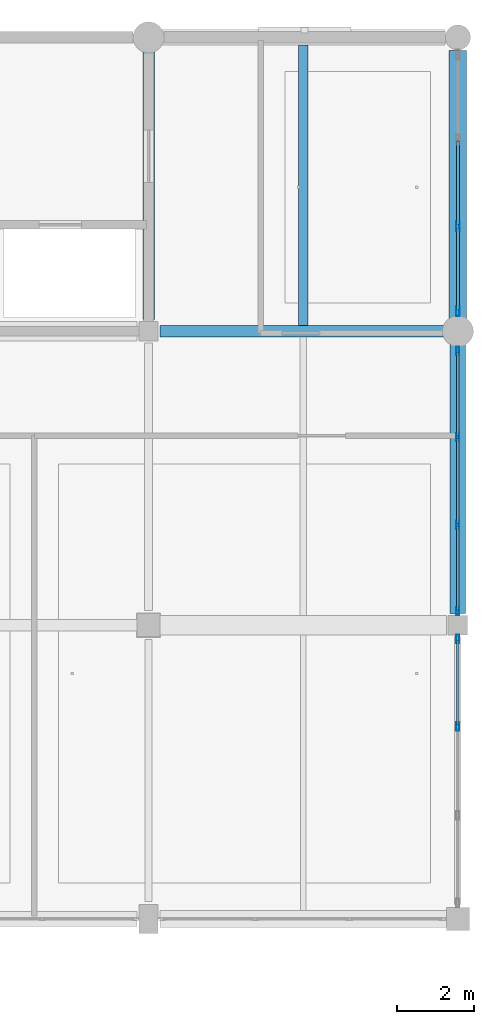
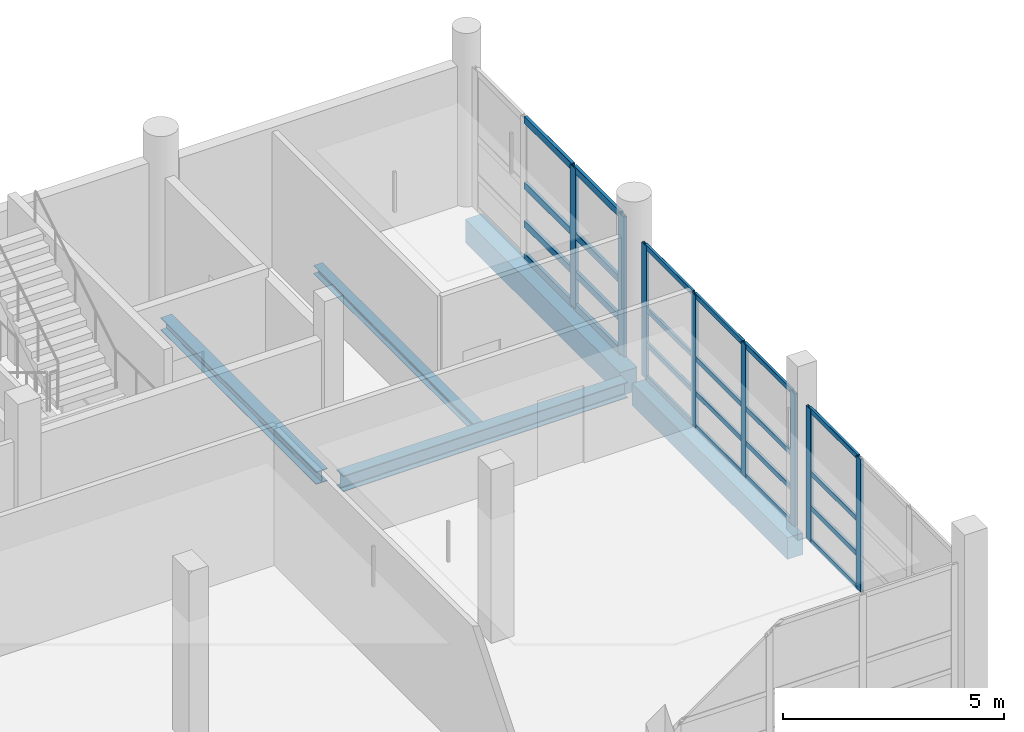
# One storey, part 55 of 107: 32 members, 5 beams, 3 elements without a shape of their own.
"""IFC4 building model written with IfcOpenShell, lengths in metres."""

import ifcopenshell
import ifcopenshell.guid

model = None  # the IFC model being written
_history = None  # IfcOwnerHistory: only IFC2X3 demands one
_inside = {}  # id of a spatial element -> (the spatial element, [elements in it])
_under = {}  # id of a project, library or spatial element -> (it, [spatial elements below it])
_declared = {}  # id of a project -> (the project, [libraries it declares])
_typed = {}  # id of a type object -> (the type object, [elements of that type])
_made_of = {}  # id of a material, layer set ... -> (it, [elements and type objects made of it])


def new_model(schema):
    """Start an empty IFC model of exactly this schema.

    Asked for "IFC4X3", IfcOpenShell would pick the latest addendum, in which some entities
    have other attributes; the version numbers below select the first issue.
    IFC2X3 requires an IfcOwnerHistory on every rooted entity: one is made here for all.
    """
    global model, _history
    if schema == "IFC4X3":
        model = ifcopenshell.file(schema_version=(4, 3, 0, 0))
    else:
        model = ifcopenshell.file(schema=schema)
    _inside.clear()
    _under.clear()
    _declared.clear()
    _typed.clear()
    _made_of.clear()
    _history = None
    if model.schema == "IFC2X3":
        org = make("IfcOrganization", Name="unknown")
        user = make(
            "IfcPersonAndOrganization",
            ThePerson=make("IfcPerson", FamilyName="unknown"),
            TheOrganization=org,
        )
        app = make(
            "IfcApplication",
            ApplicationDeveloper=org,
            Version="unknown",
            ApplicationFullName="unknown",
            ApplicationIdentifier="unknown",
        )
        _history = make(
            "IfcOwnerHistory",
            OwningUser=user,
            OwningApplication=app,
            ChangeAction="ADDED",
            CreationDate=0,
        )
    return model


def make(cls, **values):
    """One entity of the class cls with the attributes given. An attribute that is None is left unset."""
    return model.create_entity(
        cls, **{name: value for name, value in values.items() if value is not None}
    )


def rooted(cls, **values):
    """An entity with a GlobalId (a new one), such as an element, a storey or a relation."""
    return make(cls, GlobalId=ifcopenshell.guid.new(), OwnerHistory=_history, **values)


def si_unit(unit_type, name, prefix=None):
    """IfcSIUnit, for example si_unit("LENGTHUNIT", "METRE", prefix="MILLI")."""
    return make("IfcSIUnit", UnitType=unit_type, Prefix=prefix, Name=name)


def assignment(units):
    """IfcUnitAssignment: the units of a project."""
    return None if units is None else make("IfcUnitAssignment", Units=units)


def point(xyz):
    """IfcCartesianPoint."""
    return None if xyz is None else make("IfcCartesianPoint", Coordinates=xyz)


def direction(xyz):
    """IfcDirection."""
    return None if xyz is None else make("IfcDirection", DirectionRatios=xyz)


def frame(location, z_axis=None, x_axis=None):
    """IfcAxis2Placement3D, a coordinate frame: its origin and axes. An axis left out is left unset."""
    return make(
        "IfcAxis2Placement3D",
        Location=point(location),
        Axis=direction(z_axis),
        RefDirection=direction(x_axis),
    )


def frame_2d(location, x_axis=None):
    """IfcAxis2Placement2D, a coordinate frame in the plane: its origin and x axis."""
    return make(
        "IfcAxis2Placement2D", Location=point(location), RefDirection=direction(x_axis)
    )


def origin():
    """The frame at (0, 0, 0) with its axes left unset."""
    return frame((0.0, 0.0, 0.0))


def origin_2d():
    """The frame at (0, 0) in the plane with its x axis left unset."""
    return frame_2d((0.0, 0.0))


def place(relative_to, where):
    """IfcLocalPlacement: puts the frame where relative to a parent placement (None: the world)."""
    return make(
        "IfcLocalPlacement", PlacementRelTo=relative_to, RelativePlacement=where
    )


def context(
    kind, dimensions, precision=None, world=None, true_north=None, identifier=None
):
    """IfcGeometricRepresentationContext, for example the 3D "Model" context."""
    return make(
        "IfcGeometricRepresentationContext",
        ContextIdentifier=identifier,
        ContextType=kind,
        CoordinateSpaceDimension=dimensions,
        Precision=precision,
        WorldCoordinateSystem=world,
        TrueNorth=true_north,
    )


def subcontext(parent, identifier, kind, view, scale=None):
    """IfcGeometricRepresentationSubContext, for example "Body" below "Model"."""
    return make(
        "IfcGeometricRepresentationSubContext",
        ContextIdentifier=identifier,
        ContextType=kind,
        ParentContext=parent,
        TargetScale=scale,
        TargetView=view,
    )


def project(units=None, contexts=None):
    """IfcProject with its units and contexts."""
    return rooted(
        "IfcProject",
        Name="project",
        RepresentationContexts=contexts,
        UnitsInContext=assignment(units),
    )


def spatial(cls, under=None, at=None, **own):
    """A site, building, storey or space (cls), placed at a placement, below another one or the project."""
    s = rooted(cls, ObjectPlacement=at, **own)
    if under is not None:
        _under.setdefault(under.id(), (under, []))[1].append(s)
    return s


def profile(cls, at=None, kind="AREA", **sizes):
    """A parametric profile (cls). Its sizes go by their IFC names, for example OverallWidth=200.0."""
    return make(cls, ProfileType=kind, Position=at, **sizes)


def rectangle(**sizes):
    """IfcRectangleProfileDef."""
    return profile("IfcRectangleProfileDef", **sizes)


def hollow_rectangle(**sizes):
    """IfcRectangleHollowProfileDef."""
    return profile("IfcRectangleHollowProfileDef", **sizes)


def i_section(**sizes):
    """IfcIShapeProfileDef."""
    return profile("IfcIShapeProfileDef", **sizes)


def extrude(swept, where, along, depth):
    """IfcExtrudedAreaSolid: the profile swept, set in the frame where, extruded along a direction by depth."""
    return make(
        "IfcExtrudedAreaSolid",
        SweptArea=swept,
        Position=where,
        ExtrudedDirection=direction(along),
        Depth=depth,
    )


def shape(context_of_items, identifier, shape_type, items):
    """IfcShapeRepresentation: the items that make up one representation, for example the "Body"."""
    return make(
        "IfcShapeRepresentation",
        ContextOfItems=context_of_items,
        RepresentationIdentifier=identifier,
        RepresentationType=shape_type,
        Items=items,
    )


def material(Name=None, Category=None):
    """IfcMaterial."""
    return make("IfcMaterial", Name=Name, Category=Category)


def material_profile(
    of_material, cross_section, Name=None, Category=None, Priority=None
):
    """IfcMaterialProfile: a cross section and its material."""
    return make(
        "IfcMaterialProfile",
        Name=Name,
        Material=of_material,
        Profile=cross_section,
        Priority=Priority,
        Category=Category,
    )


def profile_set(profiles, Name=None, composite=None):
    """IfcMaterialProfileSet."""
    return make(
        "IfcMaterialProfileSet",
        Name=Name,
        MaterialProfiles=profiles,
        CompositeProfile=composite,
    )


def made_of(thing, what):
    """Note that an element or type object is made of a material, layer set ...; save() writes the relation."""
    if what is not None:
        _made_of.setdefault(what.id(), (what, []))[1].append(thing)
    return thing


def type_object(cls, material=None, **own):
    """A type object (cls), such as IfcWallType, which elements share."""
    return made_of(rooted(cls, **own), material)


def element(
    cls,
    number,
    at=None,
    inside=None,
    cuts=None,
    type_object=None,
    material=None,
    context=None,
    identifier="Body",
    shape_type=None,
    held_by="IfcProductDefinitionShape",
    body=None,
    shapes=None,
    **own,
):
    """One element of the class cls, such as IfcWall. Its Tag is "e" and its number.

    at: its placement. inside: the storey or other place that contains it. cuts: it is an
    opening in that element (IfcRelVoidsElement). A single representation is given by context,
    identifier, shape_type and body (its items); several are given by shapes. held_by: the class
    of the entity that holds the representations. save() writes the other relations.
    """
    e = rooted(cls, Tag="e%d" % number, ObjectPlacement=at, **own)
    if body is not None:
        shapes = [shape(context, identifier, shape_type, body)]
    if shapes is not None:
        e.Representation = make(held_by, Representations=shapes)
    if inside is not None:
        _inside.setdefault(inside.id(), (inside, []))[1].append(e)
    if cuts is not None:
        rooted(
            "IfcRelVoidsElement", RelatingBuildingElement=cuts, RelatedOpeningElement=e
        )
    if type_object is not None:
        _typed.setdefault(type_object.id(), (type_object, []))[1].append(e)
    return made_of(e, material)


def aggregate(whole, parts):
    """IfcRelAggregates: a whole, such as a stair, and the parts it consists of."""
    return rooted("IfcRelAggregates", RelatingObject=whole, RelatedObjects=parts)


def save(model, path):
    """Write the relations noted so far, then the file.

    IfcRelAggregates (storeys below a building ...), IfcRelContainedInSpatialStructure (elements
    in a storey), IfcRelDefinesByType, IfcRelAssociatesMaterial and IfcRelDeclares: one each for
    every whole, place, type object, material and project.
    """
    for whole, parts in _under.values():
        aggregate(whole, parts)
    for where, things in _inside.values():
        rooted(
            "IfcRelContainedInSpatialStructure",
            RelatedElements=things,
            RelatingStructure=where,
        )
    for kind, things in _typed.values():
        rooted("IfcRelDefinesByType", RelatedObjects=things, RelatingType=kind)
    for what, things in _made_of.values():
        rooted("IfcRelAssociatesMaterial", RelatedObjects=things, RelatingMaterial=what)
    for by, libraries in _declared.values():
        rooted("IfcRelDeclares", RelatingContext=by, RelatedDefinitions=libraries)
    model.write(path)


model = new_model("IFC4")

# Units and contexts
model_context = context("Model", 3, precision=1e-05, world=origin(), true_north=direction((0.0, 1.0)))
body_context = subcontext(model_context, "Body", "Model", "MODEL_VIEW")
ifc_project = project(units=[si_unit("LENGTHUNIT", "METRE"), si_unit("AREAUNIT", "SQUARE_METRE"), si_unit("VOLUMEUNIT", "CUBIC_METRE"), si_unit("PLANEANGLEUNIT", "RADIAN"), si_unit("MASSUNIT", "GRAM", prefix="KILO")], contexts=[model_context])

# Site, building, storey
site_placement = place(None, origin())
site = spatial("IfcSite", under=ifc_project, at=site_placement, CompositionType="ELEMENT")
building_placement = place(site_placement, origin())
building = spatial("IfcBuilding", under=site, at=building_placement, Name="Khelvaren Railside Concert Hall", CompositionType="ELEMENT")
storey_placement = place(building_placement, frame((0.0, 0.0, 15.0)))
storey = spatial("IfcBuildingStorey", under=building, at=storey_placement, Name="L03", CompositionType="ELEMENT", Elevation=15.0)

# Beams
ifc_material_1 = material(Name="Steel S355", Category="steel")
ifc_material_profile_1 = material_profile(ifc_material_1, i_section(OverallWidth=0.300048828125, OverallDepth=0.35009765625, WebThickness=0.010009765625, FlangeThickness=0.017578125, FilletRadius=0.027099609375, at=origin_2d()), Name="HEA 360")
ifc_profile_set_1 = profile_set([ifc_material_profile_1], Name="Steel S355")
beam_type_1 = type_object("IfcBeamType", Name="BM73", PredefinedType="BEAM", material=ifc_profile_set_1)
beam_1_placement = place(storey_placement, frame((176.0, 106.699951171875, -0.455078125), z_axis=(0.0, 1.0, 0.0), x_axis=(-1.0, 0.0, 0.0)))
element("IfcBeam", 1, at=beam_1_placement, inside=storey, type_object=beam_type_1, Name="V5 L03 Beam Y7.4", PredefinedType="BEAM", context=body_context, shape_type="SweptSolid", body=[
    extrude(i_section(OverallWidth=0.300048828125, OverallDepth=0.35009765625, WebThickness=0.010009765625, FlangeThickness=0.017578125, FilletRadius=0.027099609375, at=origin_2d()), origin(), (0.0, 0.0, 1.0), 7.050048828125),
])
ifc_material_profile_2 = material_profile(ifc_material_1, i_section(OverallWidth=0.300048828125, OverallDepth=0.43994140625, WebThickness=0.011474609375, FlangeThickness=0.02099609375, FilletRadius=0.027099609375, at=origin_2d()), Name="HEA 450")
ifc_profile_set_2 = profile_set([ifc_material_profile_2], Name="Steel S355")
beam_type_2 = type_object("IfcBeamType", Name="BM89", PredefinedType="BEAM", material=ifc_profile_set_2)
beam_2_placement = place(storey_placement, frame((176.300048828125, 106.39990234375, -0.5), z_axis=(1.0, 0.0, 0.0), x_axis=(0.0, 1.0, 0.0)))
element("IfcBeam", 2, at=beam_2_placement, inside=storey, type_object=beam_type_2, Name="V5 L03 Beam X4.7", PredefinedType="BEAM", context=body_context, shape_type="SweptSolid", body=[
    extrude(i_section(OverallWidth=0.300048828125, OverallDepth=0.43994140625, WebThickness=0.011474609375, FlangeThickness=0.02099609375, FilletRadius=0.027099609375, at=origin_2d()), origin(), (0.0, 0.0, 1.0), 7.449951171875),
])

# Curtain wall, members
ifc_material_2 = material(Name="Double-glazed clear foyer glass", Category="glass")
curtain_wall_type_1 = type_object("IfcCurtainWallType", Name="CW68", PredefinedType="USERDEFINED", material=ifc_material_2)
curtain_wall_1_placement = place(storey_placement, origin())
curtain_wall_1 = element("IfcCurtainWall", 3, at=curtain_wall_1_placement, inside=storey, type_object=curtain_wall_type_1, Name="Unitised Curtain Wall CW-V5-L03-E-91", ObjectType="UNITISED CURTAIN WALL", PredefinedType="USERDEFINED")
ifc_material_3 = material(Name="Anodised architectural aluminium 6063-T6", Category="aluminium")
ifc_material_profile_3 = material_profile(ifc_material_3, hollow_rectangle(XDim=0.074951171875, YDim=0.219970703125, WallThickness=0.0048828125, InnerFilletRadius=0.0029296875, OuterFilletRadius=0.0048828125, at=origin_2d()), Name="CWM 75x220x5")
ifc_profile_set_3 = profile_set([ifc_material_profile_3], Name="Anodised architectural aluminium 6063-T6")
member_type_1 = type_object("IfcMemberType", Name="CWM13", PredefinedType="MULLION", material=ifc_profile_set_3)
member_1_placement = place(storey_placement, frame((184.0, 98.43994140625, 0.0), z_axis=(0.0, 0.0, 1.0), x_axis=(1.0, 0.0, 0.0)))
member_1 = element("IfcMember", 4, at=member_1_placement, type_object=member_type_1, Name="CW68 mullion 1", PredefinedType="MULLION", context=body_context, shape_type="SweptSolid", body=[
    extrude(hollow_rectangle(XDim=0.074951171875, YDim=0.219970703125, WallThickness=0.0048828125, InnerFilletRadius=0.0029296875, OuterFilletRadius=0.0048828125, at=origin_2d()), origin(), (0.0, 0.0, 1.0), 3.669921875),
])
member_2_placement = place(storey_placement, frame((184.0, 96.17578125, 0.0), z_axis=(0.0, 0.0, 1.0), x_axis=(1.0, 0.0, 0.0)))
member_2 = element("IfcMember", 5, at=member_2_placement, type_object=member_type_1, Name="CW68 mullion 2", PredefinedType="MULLION", context=body_context, shape_type="SweptSolid", body=[
    extrude(hollow_rectangle(XDim=0.074951171875, YDim=0.219970703125, WallThickness=0.0048828125, InnerFilletRadius=0.0029296875, OuterFilletRadius=0.0048828125, at=origin_2d()), origin(), (0.0, 0.0, 1.0), 3.669921875),
])

curtain_wall_type_2 = type_object("IfcCurtainWallType", Name="CW70", PredefinedType="USERDEFINED", material=ifc_material_2)
curtain_wall_2_placement = place(storey_placement, origin())
curtain_wall_2 = element("IfcCurtainWall", 6, at=curtain_wall_2_placement, inside=storey, type_object=curtain_wall_type_2, Name="Unitised Curtain Wall CW-V5-L03-E-99", ObjectType="UNITISED CURTAIN WALL", PredefinedType="USERDEFINED")
member_3_placement = place(storey_placement, frame((184.0, 105.889892578125, 0.0), z_axis=(0.0, 0.0, 1.0), x_axis=(1.0, 0.0, 0.0)))
member_3 = element("IfcMember", 7, at=member_3_placement, type_object=member_type_1, Name="CW70 mullion 1", PredefinedType="MULLION", context=body_context, shape_type="SweptSolid", body=[
    extrude(hollow_rectangle(XDim=0.074951171875, YDim=0.219970703125, WallThickness=0.0048828125, InnerFilletRadius=0.0029296875, OuterFilletRadius=0.0048828125, at=origin_2d()), origin(), (0.0, 0.0, 1.0), 3.669921875),
])
member_4_placement = place(storey_placement, frame((184.0, 103.6591796875, 0.0), z_axis=(0.0, 0.0, 1.0), x_axis=(1.0, 0.0, 0.0)))
member_4 = element("IfcMember", 8, at=member_4_placement, type_object=member_type_1, Name="CW70 mullion 2", PredefinedType="MULLION", context=body_context, shape_type="SweptSolid", body=[
    extrude(hollow_rectangle(XDim=0.074951171875, YDim=0.219970703125, WallThickness=0.0048828125, InnerFilletRadius=0.0029296875, OuterFilletRadius=0.0048828125, at=origin_2d()), origin(), (0.0, 0.0, 1.0), 3.669921875),
])
member_5_placement = place(storey_placement, frame((184.0, 101.390869140625, 0.0), z_axis=(0.0, 0.0, 1.0), x_axis=(1.0, 0.0, 0.0)))
member_5 = element("IfcMember", 9, at=member_5_placement, type_object=member_type_1, Name="CW70 mullion 3", PredefinedType="MULLION", context=body_context, shape_type="SweptSolid", body=[
    extrude(hollow_rectangle(XDim=0.074951171875, YDim=0.219970703125, WallThickness=0.0048828125, InnerFilletRadius=0.0029296875, OuterFilletRadius=0.0048828125, at=origin_2d()), origin(), (0.0, 0.0, 1.0), 3.669921875),
])
member_6_placement = place(storey_placement, frame((184.0, 99.159912109375, 0.0), z_axis=(0.0, 0.0, 1.0), x_axis=(1.0, 0.0, 0.0)))
member_6 = element("IfcMember", 10, at=member_6_placement, type_object=member_type_1, Name="CW70 mullion 4", PredefinedType="MULLION", context=body_context, shape_type="SweptSolid", body=[
    extrude(hollow_rectangle(XDim=0.074951171875, YDim=0.219970703125, WallThickness=0.0048828125, InnerFilletRadius=0.0029296875, OuterFilletRadius=0.0048828125, at=origin_2d()), origin(), (0.0, 0.0, 1.0), 3.669921875),
])

ifc_material_4 = material(Name="Acoustic laminated crystal facade glass", Category="glass")
curtain_wall_type_3 = type_object("IfcCurtainWallType", Name="CW21", PredefinedType="USERDEFINED", material=ifc_material_4)
curtain_wall_3_placement = place(storey_placement, origin())
curtain_wall_3 = element("IfcCurtainWall", 11, at=curtain_wall_3_placement, inside=storey, type_object=curtain_wall_type_3, Name="Unitised Curtain Wall CW-V5-L03-E-106", ObjectType="UNITISED CURTAIN WALL", PredefinedType="USERDEFINED")
ifc_material_profile_4 = material_profile(ifc_material_3, hollow_rectangle(XDim=0.0849609375, YDim=0.260009765625, WallThickness=0.0048828125, InnerFilletRadius=0.0029296875, OuterFilletRadius=0.0048828125, at=origin_2d()), Name="CWM 85x260x5")
ifc_profile_set_4 = profile_set([ifc_material_profile_4], Name="Anodised architectural aluminium 6063-T6")
member_type_2 = type_object("IfcMemberType", Name="CWM40", PredefinedType="MULLION", material=ifc_profile_set_4)
member_7_placement = place(storey_placement, frame((184.0, 109.117431640625, 0.0), z_axis=(0.0, 0.0, 1.0), x_axis=(1.0, 0.0, 0.0)))
member_7 = element("IfcMember", 12, at=member_7_placement, type_object=member_type_2, Name="CW21 mullion 3", PredefinedType="MULLION", context=body_context, shape_type="SweptSolid", body=[
    extrude(hollow_rectangle(XDim=0.0849609375, YDim=0.260009765625, WallThickness=0.0048828125, InnerFilletRadius=0.0029296875, OuterFilletRadius=0.0048828125, at=origin_2d()), origin(), (0.0, 0.0, 1.0), 3.8701171875),
])
member_8_placement = place(storey_placement, frame((184.0, 106.919921875, 0.0), z_axis=(0.0, 0.0, 1.0), x_axis=(1.0, 0.0, 0.0)))
member_8 = element("IfcMember", 13, at=member_8_placement, type_object=member_type_2, Name="CW21 mullion 4", PredefinedType="MULLION", context=body_context, shape_type="SweptSolid", body=[
    extrude(hollow_rectangle(XDim=0.0849609375, YDim=0.260009765625, WallThickness=0.0048828125, InnerFilletRadius=0.0029296875, OuterFilletRadius=0.0048828125, at=origin_2d()), origin(), (0.0, 0.0, 1.0), 3.8701171875),
])
ifc_material_profile_5 = material_profile(ifc_material_3, hollow_rectangle(XDim=0.0849609375, YDim=0.18994140625, WallThickness=0.0048828125, InnerFilletRadius=0.0029296875, OuterFilletRadius=0.0048828125, at=origin_2d()), Name="CWT 85x190x5")
ifc_profile_set_5 = profile_set([ifc_material_profile_5], Name="Anodised architectural aluminium 6063-T6")
member_type_3 = type_object("IfcMemberType", Name="CWT31", PredefinedType="USERDEFINED", material=ifc_profile_set_5)
member_9_placement = place(storey_placement, frame((184.0, 111.31494140625, 0.04248046875), z_axis=(0.0, -1.0, 0.0), x_axis=(1.0, 0.0, 0.0)))
member_9 = element("IfcMember", 14, at=member_9_placement, type_object=member_type_3, Name="CW21 transom 2.1", ObjectType="TRANSOM", PredefinedType="USERDEFINED", context=body_context, shape_type="SweptSolid", body=[
    extrude(hollow_rectangle(XDim=0.0849609375, YDim=0.18994140625, WallThickness=0.0048828125, InnerFilletRadius=0.0029296875, OuterFilletRadius=0.0048828125, at=origin_2d()), origin(), (0.0, 0.0, 1.0), 2.155029296875),
])
member_10_placement = place(storey_placement, frame((184.0, 111.31494140625, 0.949951171875), z_axis=(0.0, -1.0, 0.0), x_axis=(1.0, 0.0, 0.0)))
member_10 = element("IfcMember", 15, at=member_10_placement, type_object=member_type_3, Name="CW21 transom 2.2", ObjectType="TRANSOM", PredefinedType="USERDEFINED", context=body_context, shape_type="SweptSolid", body=[
    extrude(hollow_rectangle(XDim=0.0849609375, YDim=0.18994140625, WallThickness=0.0048828125, InnerFilletRadius=0.0029296875, OuterFilletRadius=0.0048828125, at=origin_2d()), origin(), (0.0, 0.0, 1.0), 2.155029296875),
])
member_11_placement = place(storey_placement, frame((184.0, 111.31494140625, 2.012451171875), z_axis=(0.0, -1.0, 0.0), x_axis=(1.0, 0.0, 0.0)))
member_11 = element("IfcMember", 16, at=member_11_placement, type_object=member_type_3, Name="CW21 transom 2.3", ObjectType="TRANSOM", PredefinedType="USERDEFINED", context=body_context, shape_type="SweptSolid", body=[
    extrude(hollow_rectangle(XDim=0.0849609375, YDim=0.18994140625, WallThickness=0.0048828125, InnerFilletRadius=0.0029296875, OuterFilletRadius=0.0048828125, at=origin_2d()), origin(), (0.0, 0.0, 1.0), 2.155029296875),
])
member_12_placement = place(storey_placement, frame((184.0, 111.31494140625, 3.827392578125), z_axis=(0.0, -1.0, 0.0), x_axis=(1.0, 0.0, 0.0)))
member_12 = element("IfcMember", 17, at=member_12_placement, type_object=member_type_3, Name="CW21 transom 2.4", ObjectType="TRANSOM", PredefinedType="USERDEFINED", context=body_context, shape_type="SweptSolid", body=[
    extrude(hollow_rectangle(XDim=0.0849609375, YDim=0.18994140625, WallThickness=0.0048828125, InnerFilletRadius=0.0029296875, OuterFilletRadius=0.0048828125, at=origin_2d()), origin(), (0.0, 0.0, 1.0), 2.155029296875),
])
member_13_placement = place(storey_placement, frame((184.0, 109.074951171875, 0.04248046875), z_axis=(0.0, -1.0, 0.0), x_axis=(1.0, 0.0, 0.0)))
member_13 = element("IfcMember", 18, at=member_13_placement, type_object=member_type_3, Name="CW21 transom 3.1", ObjectType="TRANSOM", PredefinedType="USERDEFINED", context=body_context, shape_type="SweptSolid", body=[
    extrude(hollow_rectangle(XDim=0.0849609375, YDim=0.18994140625, WallThickness=0.0048828125, InnerFilletRadius=0.0029296875, OuterFilletRadius=0.0048828125, at=origin_2d()), origin(), (0.0, 0.0, 1.0), 2.112548828125),
])
member_14_placement = place(storey_placement, frame((184.0, 109.074951171875, 0.949951171875), z_axis=(0.0, -1.0, 0.0), x_axis=(1.0, 0.0, 0.0)))
member_14 = element("IfcMember", 19, at=member_14_placement, type_object=member_type_3, Name="CW21 transom 3.2", ObjectType="TRANSOM", PredefinedType="USERDEFINED", context=body_context, shape_type="SweptSolid", body=[
    extrude(hollow_rectangle(XDim=0.0849609375, YDim=0.18994140625, WallThickness=0.0048828125, InnerFilletRadius=0.0029296875, OuterFilletRadius=0.0048828125, at=origin_2d()), origin(), (0.0, 0.0, 1.0), 2.112548828125),
])
member_15_placement = place(storey_placement, frame((184.0, 109.074951171875, 2.012451171875), z_axis=(0.0, -1.0, 0.0), x_axis=(1.0, 0.0, 0.0)))
member_15 = element("IfcMember", 20, at=member_15_placement, type_object=member_type_3, Name="CW21 transom 3.3", ObjectType="TRANSOM", PredefinedType="USERDEFINED", context=body_context, shape_type="SweptSolid", body=[
    extrude(hollow_rectangle(XDim=0.0849609375, YDim=0.18994140625, WallThickness=0.0048828125, InnerFilletRadius=0.0029296875, OuterFilletRadius=0.0048828125, at=origin_2d()), origin(), (0.0, 0.0, 1.0), 2.112548828125),
])
member_16_placement = place(storey_placement, frame((184.0, 109.074951171875, 3.827392578125), z_axis=(0.0, -1.0, 0.0), x_axis=(1.0, 0.0, 0.0)))
member_16 = element("IfcMember", 21, at=member_16_placement, type_object=member_type_3, Name="CW21 transom 3.4", ObjectType="TRANSOM", PredefinedType="USERDEFINED", context=body_context, shape_type="SweptSolid", body=[
    extrude(hollow_rectangle(XDim=0.0849609375, YDim=0.18994140625, WallThickness=0.0048828125, InnerFilletRadius=0.0029296875, OuterFilletRadius=0.0048828125, at=origin_2d()), origin(), (0.0, 0.0, 1.0), 2.112548828125),
])
aggregate(curtain_wall_3, [member_7, member_8, member_9, member_10, member_11, member_12, member_13, member_14, member_15, member_16])

# Member
ifc_material_profile_6 = material_profile(ifc_material_3, hollow_rectangle(XDim=0.06494140625, YDim=0.139892578125, WallThickness=0.00390625, InnerFilletRadius=0.001953125, OuterFilletRadius=0.00390625, at=origin_2d()), Name="CWT 65x140x4")
ifc_profile_set_6 = profile_set([ifc_material_profile_6], Name="Anodised architectural aluminium 6063-T6")
member_type_4 = type_object("IfcMemberType", Name="CWT72", PredefinedType="USERDEFINED", material=ifc_profile_set_6)
member_17_placement = place(storey_placement, frame((184.0, 98.402587890625, 0.032470703125), z_axis=(0.0, -1.0, 0.0), x_axis=(1.0, 0.0, 0.0)))
member_17 = element("IfcMember", 22, at=member_17_placement, type_object=member_type_4, Name="CW68 transom 1.1", ObjectType="TRANSOM", PredefinedType="USERDEFINED", context=body_context, shape_type="SweptSolid", body=[
    extrude(hollow_rectangle(XDim=0.06494140625, YDim=0.139892578125, WallThickness=0.00390625, InnerFilletRadius=0.001953125, OuterFilletRadius=0.00390625, at=origin_2d()), origin(), (0.0, 0.0, 1.0), 2.189208984375),
])

member_18_placement = place(storey_placement, frame((184.0, 98.402587890625, 0.949951171875), z_axis=(0.0, -1.0, 0.0), x_axis=(1.0, 0.0, 0.0)))
member_18 = element("IfcMember", 23, at=member_18_placement, type_object=member_type_4, Name="CW68 transom 1.2", ObjectType="TRANSOM", PredefinedType="USERDEFINED", context=body_context, shape_type="SweptSolid", body=[
    extrude(hollow_rectangle(XDim=0.06494140625, YDim=0.139892578125, WallThickness=0.00390625, InnerFilletRadius=0.001953125, OuterFilletRadius=0.00390625, at=origin_2d()), origin(), (0.0, 0.0, 1.0), 2.189208984375),
])

member_19_placement = place(storey_placement, frame((184.0, 98.402587890625, 1.908447265625), z_axis=(0.0, -1.0, 0.0), x_axis=(1.0, 0.0, 0.0)))
member_19 = element("IfcMember", 24, at=member_19_placement, type_object=member_type_4, Name="CW68 transom 1.3", ObjectType="TRANSOM", PredefinedType="USERDEFINED", context=body_context, shape_type="SweptSolid", body=[
    extrude(hollow_rectangle(XDim=0.06494140625, YDim=0.139892578125, WallThickness=0.00390625, InnerFilletRadius=0.001953125, OuterFilletRadius=0.00390625, at=origin_2d()), origin(), (0.0, 0.0, 1.0), 2.189208984375),
])

member_20_placement = place(storey_placement, frame((184.0, 98.402587890625, 3.637451171875), z_axis=(0.0, -1.0, 0.0), x_axis=(1.0, 0.0, 0.0)))
member_20 = element("IfcMember", 25, at=member_20_placement, type_object=member_type_4, Name="CW68 transom 1.4", ObjectType="TRANSOM", PredefinedType="USERDEFINED", context=body_context, shape_type="SweptSolid", body=[
    extrude(hollow_rectangle(XDim=0.06494140625, YDim=0.139892578125, WallThickness=0.00390625, InnerFilletRadius=0.001953125, OuterFilletRadius=0.00390625, at=origin_2d()), origin(), (0.0, 0.0, 1.0), 2.189208984375),
])

aggregate(curtain_wall_1, [member_1, member_2, member_17, member_18, member_19, member_20])

member_21_placement = place(storey_placement, frame((184.0, 105.8525390625, 0.032470703125), z_axis=(0.0, -1.0, 0.0), x_axis=(1.0, 0.0, 0.0)))
member_21 = element("IfcMember", 26, at=member_21_placement, type_object=member_type_4, Name="CW70 transom 1.1", ObjectType="TRANSOM", PredefinedType="USERDEFINED", context=body_context, shape_type="SweptSolid", body=[
    extrude(hollow_rectangle(XDim=0.06494140625, YDim=0.139892578125, WallThickness=0.00390625, InnerFilletRadius=0.001953125, OuterFilletRadius=0.00390625, at=origin_2d()), origin(), (0.0, 0.0, 1.0), 2.15576171875),
])

member_22_placement = place(storey_placement, frame((184.0, 105.8525390625, 0.949951171875), z_axis=(0.0, -1.0, 0.0), x_axis=(1.0, 0.0, 0.0)))
member_22 = element("IfcMember", 27, at=member_22_placement, type_object=member_type_4, Name="CW70 transom 1.2", ObjectType="TRANSOM", PredefinedType="USERDEFINED", context=body_context, shape_type="SweptSolid", body=[
    extrude(hollow_rectangle(XDim=0.06494140625, YDim=0.139892578125, WallThickness=0.00390625, InnerFilletRadius=0.001953125, OuterFilletRadius=0.00390625, at=origin_2d()), origin(), (0.0, 0.0, 1.0), 2.15576171875),
])

member_23_placement = place(storey_placement, frame((184.0, 105.8525390625, 1.908447265625), z_axis=(0.0, -1.0, 0.0), x_axis=(1.0, 0.0, 0.0)))
member_23 = element("IfcMember", 28, at=member_23_placement, type_object=member_type_4, Name="CW70 transom 1.3", ObjectType="TRANSOM", PredefinedType="USERDEFINED", context=body_context, shape_type="SweptSolid", body=[
    extrude(hollow_rectangle(XDim=0.06494140625, YDim=0.139892578125, WallThickness=0.00390625, InnerFilletRadius=0.001953125, OuterFilletRadius=0.00390625, at=origin_2d()), origin(), (0.0, 0.0, 1.0), 2.15576171875),
])

member_24_placement = place(storey_placement, frame((184.0, 105.8525390625, 3.637451171875), z_axis=(0.0, -1.0, 0.0), x_axis=(1.0, 0.0, 0.0)))
member_24 = element("IfcMember", 29, at=member_24_placement, type_object=member_type_4, Name="CW70 transom 1.4", ObjectType="TRANSOM", PredefinedType="USERDEFINED", context=body_context, shape_type="SweptSolid", body=[
    extrude(hollow_rectangle(XDim=0.06494140625, YDim=0.139892578125, WallThickness=0.00390625, InnerFilletRadius=0.001953125, OuterFilletRadius=0.00390625, at=origin_2d()), origin(), (0.0, 0.0, 1.0), 2.15576171875),
])

member_25_placement = place(storey_placement, frame((184.0, 103.62158203125, 0.032470703125), z_axis=(0.0, -1.0, 0.0), x_axis=(1.0, 0.0, 0.0)))
member_25 = element("IfcMember", 30, at=member_25_placement, type_object=member_type_4, Name="CW70 transom 2.1", ObjectType="TRANSOM", PredefinedType="USERDEFINED", context=body_context, shape_type="SweptSolid", body=[
    extrude(hollow_rectangle(XDim=0.06494140625, YDim=0.139892578125, WallThickness=0.00390625, InnerFilletRadius=0.001953125, OuterFilletRadius=0.00390625, at=origin_2d()), origin(), (0.0, 0.0, 1.0), 2.193359375),
])

member_26_placement = place(storey_placement, frame((184.0, 103.62158203125, 0.949951171875), z_axis=(0.0, -1.0, 0.0), x_axis=(1.0, 0.0, 0.0)))
member_26 = element("IfcMember", 31, at=member_26_placement, type_object=member_type_4, Name="CW70 transom 2.2", ObjectType="TRANSOM", PredefinedType="USERDEFINED", context=body_context, shape_type="SweptSolid", body=[
    extrude(hollow_rectangle(XDim=0.06494140625, YDim=0.139892578125, WallThickness=0.00390625, InnerFilletRadius=0.001953125, OuterFilletRadius=0.00390625, at=origin_2d()), origin(), (0.0, 0.0, 1.0), 2.193359375),
])

member_27_placement = place(storey_placement, frame((184.0, 103.62158203125, 1.908447265625), z_axis=(0.0, -1.0, 0.0), x_axis=(1.0, 0.0, 0.0)))
member_27 = element("IfcMember", 32, at=member_27_placement, type_object=member_type_4, Name="CW70 transom 2.3", ObjectType="TRANSOM", PredefinedType="USERDEFINED", context=body_context, shape_type="SweptSolid", body=[
    extrude(hollow_rectangle(XDim=0.06494140625, YDim=0.139892578125, WallThickness=0.00390625, InnerFilletRadius=0.001953125, OuterFilletRadius=0.00390625, at=origin_2d()), origin(), (0.0, 0.0, 1.0), 2.193359375),
])

member_28_placement = place(storey_placement, frame((184.0, 103.62158203125, 3.637451171875), z_axis=(0.0, -1.0, 0.0), x_axis=(1.0, 0.0, 0.0)))
member_28 = element("IfcMember", 33, at=member_28_placement, type_object=member_type_4, Name="CW70 transom 2.4", ObjectType="TRANSOM", PredefinedType="USERDEFINED", context=body_context, shape_type="SweptSolid", body=[
    extrude(hollow_rectangle(XDim=0.06494140625, YDim=0.139892578125, WallThickness=0.00390625, InnerFilletRadius=0.001953125, OuterFilletRadius=0.00390625, at=origin_2d()), origin(), (0.0, 0.0, 1.0), 2.193359375),
])

member_29_placement = place(storey_placement, frame((184.0, 101.353271484375, 0.032470703125), z_axis=(0.0, -1.0, 0.0), x_axis=(1.0, 0.0, 0.0)))
member_29 = element("IfcMember", 34, at=member_29_placement, type_object=member_type_4, Name="CW70 transom 3.1", ObjectType="TRANSOM", PredefinedType="USERDEFINED", context=body_context, shape_type="SweptSolid", body=[
    extrude(hollow_rectangle(XDim=0.06494140625, YDim=0.139892578125, WallThickness=0.00390625, InnerFilletRadius=0.001953125, OuterFilletRadius=0.00390625, at=origin_2d()), origin(), (0.0, 0.0, 1.0), 2.15576171875),
])

member_30_placement = place(storey_placement, frame((184.0, 101.353271484375, 0.949951171875), z_axis=(0.0, -1.0, 0.0), x_axis=(1.0, 0.0, 0.0)))
member_30 = element("IfcMember", 35, at=member_30_placement, type_object=member_type_4, Name="CW70 transom 3.2", ObjectType="TRANSOM", PredefinedType="USERDEFINED", context=body_context, shape_type="SweptSolid", body=[
    extrude(hollow_rectangle(XDim=0.06494140625, YDim=0.139892578125, WallThickness=0.00390625, InnerFilletRadius=0.001953125, OuterFilletRadius=0.00390625, at=origin_2d()), origin(), (0.0, 0.0, 1.0), 2.15576171875),
])

member_31_placement = place(storey_placement, frame((184.0, 101.353271484375, 1.908447265625), z_axis=(0.0, -1.0, 0.0), x_axis=(1.0, 0.0, 0.0)))
member_31 = element("IfcMember", 36, at=member_31_placement, type_object=member_type_4, Name="CW70 transom 3.3", ObjectType="TRANSOM", PredefinedType="USERDEFINED", context=body_context, shape_type="SweptSolid", body=[
    extrude(hollow_rectangle(XDim=0.06494140625, YDim=0.139892578125, WallThickness=0.00390625, InnerFilletRadius=0.001953125, OuterFilletRadius=0.00390625, at=origin_2d()), origin(), (0.0, 0.0, 1.0), 2.15576171875),
])

member_32_placement = place(storey_placement, frame((184.0, 101.353271484375, 3.637451171875), z_axis=(0.0, -1.0, 0.0), x_axis=(1.0, 0.0, 0.0)))
member_32 = element("IfcMember", 37, at=member_32_placement, type_object=member_type_4, Name="CW70 transom 3.4", ObjectType="TRANSOM", PredefinedType="USERDEFINED", context=body_context, shape_type="SweptSolid", body=[
    extrude(hollow_rectangle(XDim=0.06494140625, YDim=0.139892578125, WallThickness=0.00390625, InnerFilletRadius=0.001953125, OuterFilletRadius=0.00390625, at=origin_2d()), origin(), (0.0, 0.0, 1.0), 2.15576171875),
])

aggregate(curtain_wall_2, [member_3, member_4, member_5, member_6, member_21, member_22, member_23, member_24, member_25, member_26, member_27, member_28, member_29, member_30, member_31, member_32])

# Beams
ifc_material_profile_7 = material_profile(ifc_material_1, i_section(OverallWidth=0.239990234375, OverallDepth=0.22998046875, WebThickness=0.007568359375, FlangeThickness=0.011962890625, FilletRadius=0.02099609375, at=origin_2d()), Name="HEA 240")
ifc_profile_set_7 = profile_set([ifc_material_profile_7], Name="Steel S355")
beam_type_3 = type_object("IfcBeamType", Name="JS76", PredefinedType="JOIST", material=ifc_profile_set_7)
beam_3_placement = place(storey_placement, frame((180.0, 106.550048828125, -0.39501953125), z_axis=(0.0, 1.0, 0.0), x_axis=(-1.0, 0.0, 0.0)))
element("IfcBeam", 38, at=beam_3_placement, inside=storey, type_object=beam_type_3, Name="V5 L03 Secondary Joist 7.4", PredefinedType="JOIST", context=body_context, shape_type="SweptSolid", body=[
    extrude(i_section(OverallWidth=0.239990234375, OverallDepth=0.22998046875, WebThickness=0.007568359375, FlangeThickness=0.011962890625, FilletRadius=0.02099609375, at=origin_2d()), origin(), (0.0, 0.0, 1.0), 7.25),
])
ifc_material_5 = material(Name="Concrete C40/50", Category="concrete")
ifc_material_profile_8 = material_profile(ifc_material_5, rectangle(XDim=0.449951171875, YDim=0.64990234375, at=origin_2d()), Name="RCB 450x650")
ifc_profile_set_8 = profile_set([ifc_material_profile_8], Name="Concrete C40/50")
beam_type_4 = type_object("IfcBeamType", Name="SP34", PredefinedType="SPANDREL", material=ifc_profile_set_8)
beam_4_placement = place(storey_placement, frame((184.0, 106.64990234375, -0.60498046875), z_axis=(0.0, 1.0, 0.0), x_axis=(-1.0, 0.0, 0.0)))
element("IfcBeam", 39, at=beam_4_placement, inside=storey, type_object=beam_type_4, Name="V5 L03 Spandrel Y8.4", PredefinedType="SPANDREL", context=body_context, shape_type="SweptSolid", body=[
    extrude(rectangle(XDim=0.449951171875, YDim=0.64990234375, at=origin_2d()), origin(), (0.0, 0.0, 1.0), 7.01416015625),
])
ifc_material_profile_9 = material_profile(ifc_material_5, rectangle(XDim=0.39990234375, YDim=0.60009765625, at=origin_2d()), Name="RCB 400x600")
ifc_profile_set_9 = profile_set([ifc_material_profile_9], Name="Concrete C40/50")
beam_type_5 = type_object("IfcBeamType", Name="SP75", PredefinedType="SPANDREL", material=ifc_profile_set_9)
beam_5_placement = place(storey_placement, frame((184.0, 99.10009765625, -0.580078125), z_axis=(0.0, 1.0, 0.0), x_axis=(-1.0, 0.0, 0.0)))
element("IfcBeam", 40, at=beam_5_placement, inside=storey, type_object=beam_type_5, Name="V5 L03 Spandrel Y8.3", PredefinedType="SPANDREL", context=body_context, shape_type="SweptSolid", body=[
    extrude(rectangle(XDim=0.39990234375, YDim=0.60009765625, at=origin_2d()), origin(), (0.0, 0.0, 1.0), 7.0498046875),
])

save(model, "model.ifc")
